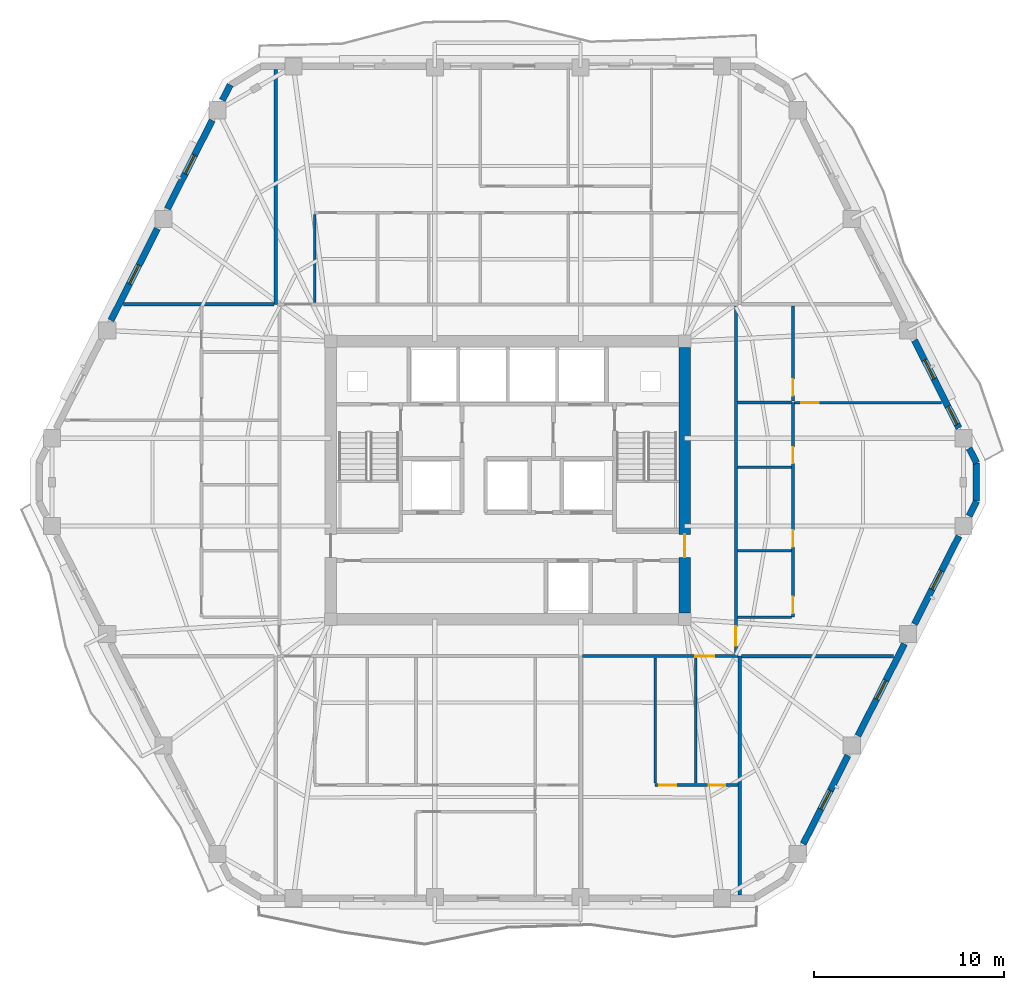
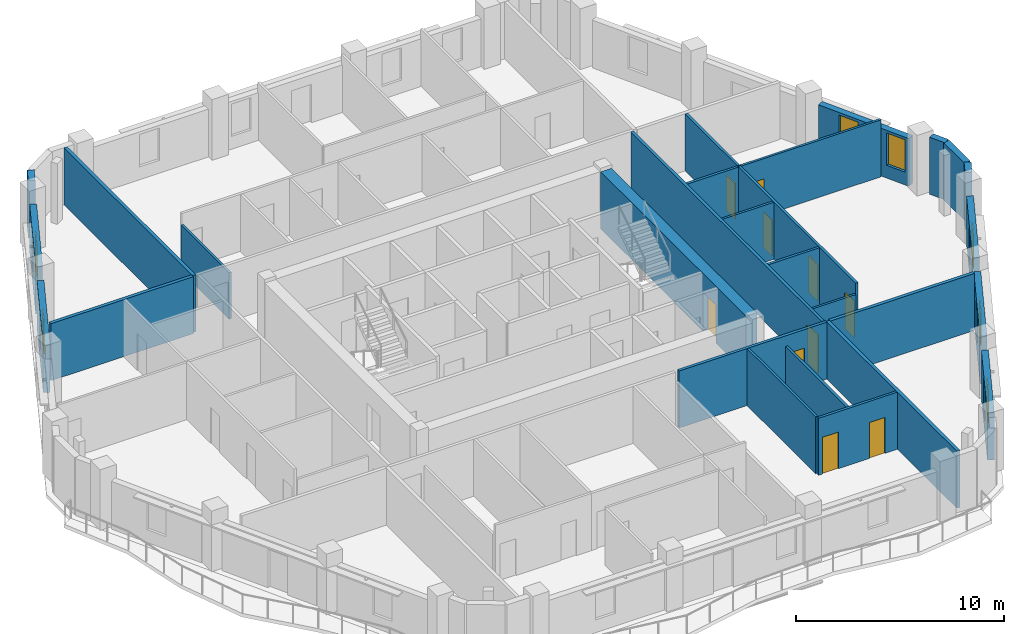
# One storey, part 6 of 12: 28 walls, 10 doors, 7 windows, 17 openings.
"""IFC4 building model written with IfcOpenShell, lengths in metres."""

from ifc_helpers import new_model, si_unit, direction, frame, frame_2d, origin, place, context, subcontext, project, spatial, rectangle, extrude, material, layer, layer_set, type_object, element, fill, save


model = new_model("IFC4")

# Units and contexts
model_context = context("Model", 3, precision=1e-05, world=origin(), true_north=direction((0.0, 1.0)))
body_context = subcontext(model_context, "Body", "Model", "MODEL_VIEW")
ifc_project = project(units=[si_unit("LENGTHUNIT", "METRE"), si_unit("AREAUNIT", "SQUARE_METRE"), si_unit("VOLUMEUNIT", "CUBIC_METRE"), si_unit("PLANEANGLEUNIT", "RADIAN"), si_unit("MASSUNIT", "GRAM", prefix="KILO")], contexts=[model_context])

# Site, building, storey
site_placement = place(None, origin())
site = spatial("IfcSite", under=ifc_project, at=site_placement, CompositionType="ELEMENT")
building_placement = place(site_placement, origin())
building = spatial("IfcBuilding", under=site, at=building_placement, Name="Cinnabar Lancet Tower", CompositionType="ELEMENT")
storey_placement = place(building_placement, frame((0.0, 0.0, 157.050048828125)))
storey = spatial("IfcBuildingStorey", under=building, at=storey_placement, Name="L41", CompositionType="ELEMENT", Elevation=157.050048828125)

# Wall, opening, door
ifc_material_1 = material(Name="Acoustic twin-stud gypsum partition", Category="gypsum")
ifc_layer_1 = layer(ifc_material_1, 0.159912109375)
ifc_layer_set_1 = layer_set([ifc_layer_1], Name="Acoustic twin-stud gypsum partition")
wall_type_1 = type_object("IfcWallType", Name="ARC-WL-CORR-160", PredefinedType="PARTITIONING", material=ifc_layer_set_1)
wall_1_placement = place(storey_placement, frame((36.326904296875, 16.64990234375, 0.0), z_axis=(0.0, 0.0, 1.0), x_axis=(1.0, 0.0, 0.0)))
wall_1 = element("IfcWall", 1, at=wall_1_placement, inside=storey, type_object=wall_type_1, Name="L41 Unit S02 Corridor Wall", PredefinedType="PARTITIONING", context=body_context, shape_type="SweptSolid", body=[
    extrude(rectangle(XDim=8.177978515625, YDim=0.159912109375, at=frame_2d((4.0888671875, 0.0))), origin(), (0.0, 0.0, 1.0), 3.33984375),
])
opening_1_placement = place(wall_1_placement, frame((5.923095703125, 0.0, 0.0)))
opening_1 = element("IfcOpeningElement", 2, at=opening_1_placement, cuts=wall_1, Name="Opening UD-01", PredefinedType="OPENING", context=body_context, shape_type="SweptSolid", body=[
    extrude(rectangle(XDim=1.02001953125, YDim=2.25, at=frame_2d((0.510009765625, 1.125))), frame((0.0, 0.08984375, 0.0), z_axis=(0.0, -1.0, 0.0), x_axis=(1.0, 0.0, 0.0)), (0.0, 0.0, 1.0), 0.179931640625),
])
ifc_material_2 = material(Name="Solid timber fire-rated apartment entrance door", Category="wood")
door_type_1 = type_object("IfcDoorType", Name="ARC-DR-UNIT", OperationType="NOTDEFINED", PredefinedType="DOOR", material=ifc_material_2)
door_1_placement = place(opening_1_placement, origin())
door_1 = element("IfcDoor", 3, at=door_1_placement, inside=storey, type_object=door_type_1, Name="DR-L41-S02-ENT", OperationType="SINGLE_SWING_RIGHT", OverallHeight=2.25, OverallWidth=1.02001953125, PredefinedType="DOOR", context=body_context, shape_type="SweptSolid", body=[
    extrude(rectangle(XDim=1.02001953125, YDim=2.25, at=frame_2d((0.510009765625, 1.125))), frame((0.0, 0.02490234375, 0.0), z_axis=(0.0, -1.0, 0.0), x_axis=(1.0, 0.0, 0.0)), (0.0, 0.0, 1.0), 0.050048828125),
])
fill(opening_1, door_1)

wall_2_placement = place(storey_placement, frame((44.39990234375, 16.7451171875, 0.0), z_axis=(0.0, 0.0, 1.0), x_axis=(0.0, 1.0, 0.0)))
wall_2 = element("IfcWall", 4, at=wall_2_placement, inside=storey, type_object=wall_type_1, Name="UW-L41-E01-COR", PredefinedType="PARTITIONING", context=body_context, shape_type="SweptSolid", body=[
    extrude(rectangle(XDim=18.309814453125, YDim=0.159912109375, at=frame_2d((9.15478515625, 0.0))), origin(), (0.0, 0.0, 1.0), 3.33984375),
])
opening_2_placement = place(wall_2_placement, frame((0.449951171875, 0.0, 0.0)))
opening_2 = element("IfcOpeningElement", 5, at=opening_2_placement, cuts=wall_2, Name="Opening UD-01", PredefinedType="OPENING", context=body_context, shape_type="SweptSolid", body=[
    extrude(rectangle(XDim=1.02001953125, YDim=2.25, at=frame_2d((0.510009765625, 1.125))), frame((0.0, 0.08984375, 0.0), z_axis=(0.0, -1.0, 0.0), x_axis=(1.0, 0.0, 0.0)), (0.0, 0.0, 1.0), 0.179931640625),
])
door_2_placement = place(opening_2_placement, origin())
door_2 = element("IfcDoor", 6, at=door_2_placement, inside=storey, type_object=door_type_1, Name="DR-L41-E01-ENT", OperationType="SINGLE_SWING_RIGHT", OverallHeight=2.25, OverallWidth=1.02001953125, PredefinedType="DOOR", context=body_context, shape_type="SweptSolid", body=[
    extrude(rectangle(XDim=1.02001953125, YDim=2.25, at=frame_2d((0.510009765625, 1.125))), frame((0.0, 0.02490234375, 0.0), z_axis=(0.0, -1.0, 0.0), x_axis=(1.0, 0.0, 0.0)), (0.0, 0.0, 1.0), 0.050048828125),
])
fill(opening_2, door_2)

# Walls
ifc_material_3 = material(Name="Fire-rated twin-frame acoustic drywall", Category="gypsum")
ifc_layer_2 = layer(ifc_material_3, 0.179931640625)
ifc_layer_set_2 = layer_set([ifc_layer_2], Name="Fire-rated twin-frame acoustic drywall")
wall_type_2 = type_object("IfcWallType", Name="ARC-WL-PARTY-180", PredefinedType="PARTITIONING", material=ifc_layer_set_2)
wall_3_placement = place(storey_placement, frame((44.60009765625, 4.10498046875, 0.0), z_axis=(0.0, 0.0, 1.0), x_axis=(0.0, 1.0, 0.0)))
element("IfcWall", 7, at=wall_3_placement, inside=storey, type_object=wall_type_2, Name="PW-L41-SPTY-446", PredefinedType="PARTITIONING", context=body_context, shape_type="SweptSolid", body=[
    extrude(rectangle(XDim=12.544921875, YDim=0.179931640625, at=frame_2d((6.2724609375, 0.0))), origin(), (0.0, 0.0, 1.0), 3.33984375),
])
wall_4_placement = place(storey_placement, frame((20.199951171875, 35.14990234375, 0.0), z_axis=(0.0, 0.0, 1.0), x_axis=(0.0, 1.0, 0.0)))
element("IfcWall", 8, at=wall_4_placement, inside=storey, type_object=wall_type_2, Name="PW-L41-NPTY-202", PredefinedType="PARTITIONING", context=body_context, shape_type="SweptSolid", body=[
    extrude(rectangle(XDim=12.34521484375, YDim=0.179931640625, at=frame_2d((6.172607421875, 0.0))), origin(), (0.0, 0.0, 1.0), 3.33984375),
])
wall_5_placement = place(storey_placement, frame((44.695068359375, 16.64990234375, 0.0), z_axis=(0.0, 0.0, 1.0), x_axis=(1.0, 0.0, 0.0)))
element("IfcWall", 9, at=wall_5_placement, inside=storey, type_object=wall_type_2, Name="PW-L41-ESB", PredefinedType="PARTITIONING", context=body_context, shape_type="SweptSolid", body=[
    extrude(rectangle(XDim=7.995849609375, YDim=0.179931640625, at=frame_2d((3.998046875, 0.0))), origin(), (0.0, 0.0, 1.0), 3.33984375),
])
wall_6_placement = place(storey_placement, frame((12.2099609375, 35.14990234375, 0.0), z_axis=(0.0, 0.0, 1.0), x_axis=(1.0, 0.0, 0.0)))
element("IfcWall", 10, at=wall_6_placement, inside=storey, type_object=wall_type_2, Name="PW-L41-WNB", PredefinedType="PARTITIONING", context=body_context, shape_type="SweptSolid", body=[
    extrude(rectangle(XDim=7.89501953125, YDim=0.179931640625, at=frame_2d((3.947509765625, 0.0))), origin(), (0.0, 0.0, 1.0), 3.33984375),
])
ifc_material_4 = material(Name="Gypsum plasterboard stud partition", Category="gypsum")
ifc_layer_3 = layer(ifc_material_4, 0.125)
ifc_layer_set_3 = layer_set([ifc_layer_3], Name="Gypsum plasterboard stud partition")
wall_type_3 = type_object("IfcWallType", Name="ARC-WL-UNIT-125", PredefinedType="PARTITIONING", material=ifc_layer_set_3)
wall_7_placement = place(storey_placement, frame((40.14990234375, 9.98095703125, 0.0), z_axis=(0.0, 0.0, 1.0), x_axis=(0.0, 1.0, 0.0)))
element("IfcWall", 11, at=wall_7_placement, inside=storey, type_object=wall_type_3, Name="UW-L41-S02-FOYE", PredefinedType="PARTITIONING", context=body_context, shape_type="SweptSolid", body=[
    extrude(rectangle(XDim=6.583984375, YDim=0.125, at=frame_2d((3.2919921875, 0.0))), origin(), (0.0, 0.0, 1.0), 3.33984375),
])
wall_8_placement = place(storey_placement, frame((22.25, 35.235107421875, 0.0), z_axis=(0.0, 0.0, 1.0), x_axis=(0.0, 1.0, 0.0)))
element("IfcWall", 12, at=wall_8_placement, inside=storey, type_object=wall_type_3, Name="UW-L41-N01-FOYE", PredefinedType="PARTITIONING", context=body_context, shape_type="SweptSolid", body=[
    extrude(rectangle(XDim=4.625, YDim=0.125, at=frame_2d((2.3125, 0.0))), origin(), (0.0, 0.0, 1.0), 2.721923828125),
])
wall_9_placement = place(storey_placement, frame((44.485107421875, 18.699951171875, 0.0), z_axis=(0.0, 0.0, 1.0), x_axis=(1.0, 0.0, 0.0)))
element("IfcWall", 13, at=wall_9_placement, inside=storey, type_object=wall_type_3, Name="UW-L41-E01-FOYN", PredefinedType="PARTITIONING", context=body_context, shape_type="SweptSolid", body=[
    extrude(rectangle(XDim=2.829833984375, YDim=0.125, at=frame_2d((1.4150390625, 0.0))), origin(), (0.0, 0.0, 1.0), 2.721923828125),
])

# Wall, opening, door
wall_10_placement = place(storey_placement, frame((47.47509765625, 29.985107421875, 0.0), z_axis=(0.0, 0.0, 1.0), x_axis=(1.0, 0.0, 0.0)))
wall_10 = element("IfcWall", 14, at=wall_10_placement, inside=storey, type_object=wall_type_3, Name="UW-L41-E01-MBN", PredefinedType="PARTITIONING", context=body_context, shape_type="SweptSolid", body=[
    extrude(rectangle(XDim=7.742919921875, YDim=0.125, at=frame_2d((3.87158203125, 0.0))), origin(), (0.0, 0.0, 1.0), 3.33984375),
])
opening_3_placement = place(wall_10_placement, frame((0.35009765625, 0.0, 0.0)))
opening_3 = element("IfcOpeningElement", 15, at=opening_3_placement, cuts=wall_10, Name="Opening RD-01", PredefinedType="OPENING", context=body_context, shape_type="SweptSolid", body=[
    extrude(rectangle(XDim=0.919921875, YDim=2.14990234375, at=frame_2d((0.4599609375, 1.074951171875))), frame((0.0, 0.072509765625, 0.0), z_axis=(0.0, -1.0, 0.0), x_axis=(1.0, 0.0, 0.0)), (0.0, 0.0, 1.0), 0.14501953125),
])
ifc_material_5 = material(Name="Engineered timber bedroom door", Category="wood")
door_type_2 = type_object("IfcDoorType", Name="ARC-DR-ROOM", OperationType="NOTDEFINED", PredefinedType="DOOR", material=ifc_material_5)
door_3_placement = place(opening_3_placement, origin())
door_3 = element("IfcDoor", 16, at=door_3_placement, inside=storey, type_object=door_type_2, Name="DR-L41-E01-MBD", OperationType="SINGLE_SWING_RIGHT", OverallHeight=2.14990234375, OverallWidth=0.919921875, PredefinedType="DOOR", context=body_context, shape_type="SweptSolid", body=[
    extrude(rectangle(XDim=0.919921875, YDim=2.14990234375, at=frame_2d((0.4599609375, 1.074951171875))), frame((0.0, 0.02490234375, 0.0), z_axis=(0.0, -1.0, 0.0), x_axis=(1.0, 0.0, 0.0)), (0.0, 0.0, 1.0), 0.050048828125),
])
fill(opening_3, door_3)

# Wall
wall_11_placement = place(storey_placement, frame((44.485107421875, 26.5849609375, 0.0), z_axis=(0.0, 0.0, 1.0), x_axis=(1.0, 0.0, 0.0)))
element("IfcWall", 17, at=wall_11_placement, inside=storey, type_object=wall_type_3, Name="UW-L41-E01-UDV", PredefinedType="PARTITIONING", context=body_context, shape_type="SweptSolid", body=[
    extrude(rectangle(XDim=2.829833984375, YDim=0.125, at=frame_2d((1.4150390625, 0.0))), origin(), (0.0, 0.0, 1.0), 3.33984375),
])

# Wall, openings, doors
ifc_material_6 = material(Name="Moisture-resistant cement-board plumbing wall", Category="masonry")
ifc_layer_4 = layer(ifc_material_6, 0.139892578125)
ifc_layer_set_4 = layer_set([ifc_layer_4], Name="Moisture-resistant cement-board plumbing wall")
wall_type_4 = type_object("IfcWallType", Name="ARC-WL-WET-140", PredefinedType="PLUMBINGWALL", material=ifc_layer_set_4)
wall_12_placement = place(storey_placement, frame((40.14990234375, 9.8759765625, 0.0), z_axis=(0.0, 0.0, 1.0), x_axis=(1.0, 0.0, 0.0)))
wall_12 = element("IfcWall", 18, at=wall_12_placement, inside=storey, type_object=wall_type_4, Name="UW-L41-S02-SPL", PredefinedType="PLUMBINGWALL", context=body_context, shape_type="SweptSolid", body=[
    extrude(rectangle(XDim=4.35498046875, YDim=0.139892578125, at=frame_2d((2.177490234375, 0.0))), origin(), (0.0, 0.0, 1.0), 3.33984375),
])
opening_4_placement = place(wall_12_placement, frame((2.821044921875, 0.0, 0.0)))
opening_4 = element("IfcOpeningElement", 19, at=opening_4_placement, cuts=wall_12, Name="Opening BD-01", PredefinedType="OPENING", context=body_context, shape_type="SweptSolid", body=[
    extrude(rectangle(XDim=0.860107421875, YDim=2.10009765625, at=frame_2d((0.43017578125, 1.050048828125))), frame((0.0, 0.079833984375, 0.0), z_axis=(0.0, -1.0, 0.0), x_axis=(1.0, 0.0, 0.0)), (0.0, 0.0, 1.0), 0.159912109375),
])
opening_5_placement = place(wall_12_placement, frame((0.219970703125, 0.0, 0.0)))
opening_5 = element("IfcOpeningElement", 20, at=opening_5_placement, cuts=wall_12, Name="Opening RD-02", PredefinedType="OPENING", context=body_context, shape_type="SweptSolid", body=[
    extrude(rectangle(XDim=0.8798828125, YDim=2.14990234375, at=frame_2d((0.43994140625, 1.074951171875))), frame((0.0, 0.079833984375, 0.0), z_axis=(0.0, -1.0, 0.0), x_axis=(1.0, 0.0, 0.0)), (0.0, 0.0, 1.0), 0.159912109375),
])
ifc_material_7 = material(Name="Moisture-resistant timber bathroom door", Category="wood")
door_type_3 = type_object("IfcDoorType", Name="ARC-DR-BATH", OperationType="NOTDEFINED", PredefinedType="DOOR", material=ifc_material_7)
door_4_placement = place(opening_4_placement, origin())
door_4 = element("IfcDoor", 21, at=door_4_placement, inside=storey, type_object=door_type_3, Name="DR-L41-S02-BTH", OperationType="SINGLE_SWING_RIGHT", OverallHeight=2.10009765625, OverallWidth=0.860107421875, PredefinedType="DOOR", context=body_context, shape_type="SweptSolid", body=[
    extrude(rectangle(XDim=0.860107421875, YDim=2.10009765625, at=frame_2d((0.43017578125, 1.050048828125))), frame((0.0, 0.02490234375, 0.0), z_axis=(0.0, -1.0, 0.0), x_axis=(1.0, 0.0, 0.0)), (0.0, 0.0, 1.0), 0.050048828125),
])
fill(opening_4, door_4)
ifc_material_8 = material(Name="Engineered timber study door", Category="wood")
door_type_4 = type_object("IfcDoorType", Name="ARC-DR-STUDY", OperationType="NOTDEFINED", PredefinedType="DOOR", material=ifc_material_8)
door_5_placement = place(opening_5_placement, origin())
door_5 = element("IfcDoor", 22, at=door_5_placement, inside=storey, type_object=door_type_4, Name="DR-L41-S02-KIT", OperationType="SINGLE_SWING_LEFT", OverallHeight=2.14990234375, OverallWidth=0.8798828125, PredefinedType="DOOR", context=body_context, shape_type="SweptSolid", body=[
    extrude(rectangle(XDim=0.8798828125, YDim=2.14990234375, at=frame_2d((0.43994140625, 1.074951171875))), frame((0.0, 0.02490234375, 0.0), z_axis=(0.0, -1.0, 0.0), x_axis=(1.0, 0.0, 0.0)), (0.0, 0.0, 1.0), 0.050048828125),
])
fill(opening_5, door_5)

# Wall
wall_13_placement = place(storey_placement, frame((42.285888671875, 9.98095703125, 0.0), z_axis=(0.0, 0.0, 1.0), x_axis=(0.0, 1.0, 0.0)))
element("IfcWall", 23, at=wall_13_placement, inside=storey, type_object=wall_type_4, Name="UW-L41-S02-KDV", PredefinedType="PLUMBINGWALL", context=body_context, shape_type="SweptSolid", body=[
    extrude(rectangle(XDim=6.583984375, YDim=0.139892578125, at=frame_2d((3.2919921875, 0.0))), origin(), (0.0, 0.0, 1.0), 2.721923828125),
])

# Wall, openings, doors
wall_14_placement = place(storey_placement, frame((47.39990234375, 18.699951171875, 0.0), z_axis=(0.0, 0.0, 1.0), x_axis=(0.0, 1.0, 0.0)))
wall_14 = element("IfcWall", 24, at=wall_14_placement, inside=storey, type_object=wall_type_4, Name="UW-L41-E01-SPL", PredefinedType="PLUMBINGWALL", context=body_context, shape_type="SweptSolid", body=[
    extrude(rectangle(XDim=11.28515625, YDim=0.139892578125, at=frame_2d((5.642578125, 0.0))), origin(), (0.0, 0.0, 1.0), 3.33984375),
])
opening_6_placement = place(wall_14_placement, frame((0.199951171875, 0.0, 0.0)))
opening_6 = element("IfcOpeningElement", 25, at=opening_6_placement, cuts=wall_14, Name="Opening RD-02", PredefinedType="OPENING", context=body_context, shape_type="SweptSolid", body=[
    extrude(rectangle(XDim=0.8798828125, YDim=2.14990234375, at=frame_2d((0.43994140625, 1.074951171875))), frame((0.0, 0.079833984375, 0.0), z_axis=(0.0, -1.0, 0.0), x_axis=(1.0, 0.0, 0.0)), (0.0, 0.0, 1.0), 0.159912109375),
])
opening_7_placement = place(wall_14_placement, frame((3.699951171875, 0.0, 0.0)))
opening_7 = element("IfcOpeningElement", 26, at=opening_7_placement, cuts=wall_14, Name="Opening RD-02", PredefinedType="OPENING", context=body_context, shape_type="SweptSolid", body=[
    extrude(rectangle(XDim=0.8798828125, YDim=2.14990234375, at=frame_2d((0.43994140625, 1.074951171875))), frame((0.0, 0.079833984375, 0.0), z_axis=(0.0, -1.0, 0.0), x_axis=(1.0, 0.0, 0.0)), (0.0, 0.0, 1.0), 0.159912109375),
])
opening_8_placement = place(wall_14_placement, frame((8.0849609375, 0.0, 0.0)))
opening_8 = element("IfcOpeningElement", 27, at=opening_8_placement, cuts=wall_14, Name="Opening BD-01", PredefinedType="OPENING", context=body_context, shape_type="SweptSolid", body=[
    extrude(rectangle(XDim=0.860107421875, YDim=2.10009765625, at=frame_2d((0.43017578125, 1.050048828125))), frame((0.0, 0.079833984375, 0.0), z_axis=(0.0, -1.0, 0.0), x_axis=(1.0, 0.0, 0.0)), (0.0, 0.0, 1.0), 0.159912109375),
])
door_6_placement = place(opening_8_placement, origin())
door_6 = element("IfcDoor", 28, at=door_6_placement, inside=storey, type_object=door_type_3, Name="DR-L41-E01-BTH", OperationType="SINGLE_SWING_LEFT", OverallHeight=2.10009765625, OverallWidth=0.860107421875, PredefinedType="DOOR", context=body_context, shape_type="SweptSolid", body=[
    extrude(rectangle(XDim=0.860107421875, YDim=2.10009765625, at=frame_2d((0.43017578125, 1.050048828125))), frame((0.0, 0.02490234375, 0.0), z_axis=(0.0, -1.0, 0.0), x_axis=(1.0, 0.0, 0.0)), (0.0, 0.0, 1.0), 0.050048828125),
])
fill(opening_8, door_6)
door_7_placement = place(opening_6_placement, origin())
door_7 = element("IfcDoor", 29, at=door_7_placement, inside=storey, type_object=door_type_4, Name="DR-L41-E01-KIT", OperationType="SINGLE_SWING_LEFT", OverallHeight=2.14990234375, OverallWidth=0.8798828125, PredefinedType="DOOR", context=body_context, shape_type="SweptSolid", body=[
    extrude(rectangle(XDim=0.8798828125, YDim=2.14990234375, at=frame_2d((0.43994140625, 1.074951171875))), frame((0.0, 0.02490234375, 0.0), z_axis=(0.0, -1.0, 0.0), x_axis=(1.0, 0.0, 0.0)), (0.0, 0.0, 1.0), 0.050048828125),
])
fill(opening_6, door_7)
door_8_placement = place(opening_7_placement, origin())
door_8 = element("IfcDoor", 30, at=door_8_placement, inside=storey, type_object=door_type_4, Name="DR-L41-E01-UTL", OperationType="SINGLE_SWING_RIGHT", OverallHeight=2.14990234375, OverallWidth=0.8798828125, PredefinedType="DOOR", context=body_context, shape_type="SweptSolid", body=[
    extrude(rectangle(XDim=0.8798828125, YDim=2.14990234375, at=frame_2d((0.43994140625, 1.074951171875))), frame((0.0, 0.02490234375, 0.0), z_axis=(0.0, -1.0, 0.0), x_axis=(1.0, 0.0, 0.0)), (0.0, 0.0, 1.0), 0.050048828125),
])
fill(opening_7, door_8)

# Wall, opening, door
wall_15_placement = place(storey_placement, frame((47.39990234375, 30.054931640625, 0.0), z_axis=(0.0, 0.0, 1.0), x_axis=(0.0, 1.0, 0.0)))
wall_15 = element("IfcWall", 31, at=wall_15_placement, inside=storey, type_object=wall_type_4, Name="UW-L41-E01-SPM", PredefinedType="PLUMBINGWALL", context=body_context, shape_type="SweptSolid", body=[
    extrude(rectangle(XDim=5.0, YDim=0.139892578125, at=frame_2d((2.5, 0.0))), origin(), (0.0, 0.0, 1.0), 3.33984375),
])
opening_9_placement = place(wall_15_placement, frame((0.300048828125, 0.0, 0.0)))
opening_9 = element("IfcOpeningElement", 32, at=opening_9_placement, cuts=wall_15, Name="Opening BD-01", PredefinedType="OPENING", context=body_context, shape_type="SweptSolid", body=[
    extrude(rectangle(XDim=0.860107421875, YDim=2.10009765625, at=frame_2d((0.43017578125, 1.050048828125))), frame((0.0, 0.079833984375, 0.0), z_axis=(0.0, -1.0, 0.0), x_axis=(1.0, 0.0, 0.0)), (0.0, 0.0, 1.0), 0.159912109375),
])
door_9_placement = place(opening_9_placement, origin())
door_9 = element("IfcDoor", 33, at=door_9_placement, inside=storey, type_object=door_type_3, Name="DR-L41-E01-ENS", OperationType="SINGLE_SWING_RIGHT", OverallHeight=2.10009765625, OverallWidth=0.860107421875, PredefinedType="DOOR", context=body_context, shape_type="SweptSolid", body=[
    extrude(rectangle(XDim=0.860107421875, YDim=2.10009765625, at=frame_2d((0.43017578125, 1.050048828125))), frame((0.0, 0.02490234375, 0.0), z_axis=(0.0, -1.0, 0.0), x_axis=(1.0, 0.0, 0.0)), (0.0, 0.0, 1.0), 0.050048828125),
])
fill(opening_9, door_9)

# Walls
for number, where, z_axis, x_axis, name in (
    (34, (44.485107421875, 29.985107421875, 0.0), (0.0, 0.0, 1.0), (1.0, 0.0, 0.0), "UW-L41-E01-ENSN"),
    (35, (44.485107421875, 22.199951171875, 0.0), (0.0, 0.0, 1.0), (1.0, 0.0, 0.0), "UW-L41-E01-KDV"),
):
    element("IfcWall", number, at=place(storey_placement, frame(where, z_axis=z_axis, x_axis=x_axis)), inside=storey, type_object=wall_type_4, Name=name, PredefinedType="PLUMBINGWALL", context=body_context, shape_type="SweptSolid", body=[
        extrude(rectangle(XDim=2.829833984375, YDim=0.139892578125, at=frame_2d((1.4150390625, 0.0))), origin(), (0.0, 0.0, 1.0), 3.33984375),
    ])
ifc_material_9 = material(Name="Cinnabar red clay brick", Category="masonry")
ifc_layer_5 = layer(ifc_material_9, 0.340087890625)
ifc_layer_set_5 = layer_set([ifc_layer_5], Name="Cinnabar red clay brick")
wall_type_5 = type_object("IfcWallType", Name="ENV-WL-BRK-RED-340", PredefinedType="STANDARD", material=ifc_layer_set_5)
wall_16_placement = place(storey_placement, frame((57.032958984375, 24.802978515625, 0.0), z_axis=(0.0, 0.0, 1.0), x_axis=(0.0, 1.0, 0.0)))
element("IfcWall", 36, at=wall_16_placement, inside=storey, type_object=wall_type_5, Name="L41 Chamfered Corner Brick Pier 3.1", PredefinedType="STANDARD", context=body_context, shape_type="SweptSolid", body=[
    extrude(rectangle(XDim=1.994140625, YDim=0.340087890625, at=frame_2d((0.9970703125, 0.0))), origin(), (0.0, 0.0, 1.0), 3.33984375),
])

# Wall, opening, window
wall_17_placement = place(storey_placement, frame((47.93701171875, 6.777099609375, 0.0), z_axis=(0.0, 0.0, 1.0), x_axis=(0.451595734115, 0.892222670038, 0.0)))
wall_17 = element("IfcWall", 37, at=wall_17_placement, inside=storey, type_object=wall_type_5, Name="L41 Face 2 Masonry Bay Wall 2", PredefinedType="STANDARD", context=body_context, shape_type="SweptSolid", body=[
    extrude(rectangle(XDim=5.208251953125, YDim=0.340087890625, at=frame_2d((2.60400390625, 0.0))), origin(), (0.0, 0.0, 1.0), 2.796875),
])
opening_10_placement = place(wall_17_placement, frame((2.053955078125, 0.0, 0.75)))
opening_10 = element("IfcOpeningElement", 38, at=opening_10_placement, cuts=wall_17, Name="Opening WN-04", PredefinedType="OPENING", context=body_context, shape_type="SweptSolid", body=[
    extrude(rectangle(XDim=1.10009765625, YDim=1.89697265625, at=frame_2d((0.550048828125, 0.948486328125))), frame((0.0, 0.179931640625, 0.0), z_axis=(0.0, -1.0, 0.0), x_axis=(1.0, 0.0, 0.0)), (0.0, 0.0, 1.0), 0.360107421875),
])
ifc_material_10 = material(Name="Thermally broken bronze-anodized aluminium tall lancet window", Category="aluminium")
window_type = type_object("IfcWindowType", Name="ENV-WN-LANCET-1100", PartitioningType="SINGLE_PANEL", PredefinedType="WINDOW", material=ifc_material_10)
window_1_placement = place(opening_10_placement, origin())
window_1 = element("IfcWindow", 39, at=window_1_placement, inside=storey, type_object=window_type, Name="L41 Face 2 Gothic Lancet Window 2", OverallHeight=1.89697265625, OverallWidth=1.10009765625, PartitioningType="SINGLE_PANEL", PredefinedType="WINDOW", context=body_context, shape_type="SweptSolid", body=[
    extrude(rectangle(XDim=1.10009765625, YDim=1.89697265625, at=frame_2d((0.550048828125, 0.948486328125))), frame((0.0, 0.030029296875, 0.0), z_axis=(0.0, -1.0, 0.0), x_axis=(1.0, 0.0, 0.0)), (0.0, 0.0, 1.0), 0.06005859375),
])
fill(opening_10, window_1)

wall_18_placement = place(storey_placement, frame((50.818115234375, 12.470947265625, 0.0), z_axis=(0.0, 0.0, 1.0), x_axis=(0.451491174807, 0.892275584711, 0.0)))
wall_18 = element("IfcWall", 40, at=wall_18_placement, inside=storey, type_object=wall_type_5, Name="L41 Face 2 Masonry Bay Wall 3", PredefinedType="STANDARD", context=body_context, shape_type="SweptSolid", body=[
    extrude(rectangle(XDim=5.404296875, YDim=0.340087890625, at=frame_2d((2.7021484375, 0.0))), origin(), (0.0, 0.0, 1.0), 2.796875),
])
opening_11_placement = place(wall_18_placement, frame((2.152099609375, 0.0, 0.75)))
opening_11 = element("IfcOpeningElement", 41, at=opening_11_placement, cuts=wall_18, Name="Opening WN-04", PredefinedType="OPENING", context=body_context, shape_type="SweptSolid", body=[
    extrude(rectangle(XDim=1.10009765625, YDim=1.89697265625, at=frame_2d((0.550048828125, 0.948486328125))), frame((0.0, 0.179931640625, 0.0), z_axis=(0.0, -1.0, 0.0), x_axis=(1.0, 0.0, 0.0)), (0.0, 0.0, 1.0), 0.360107421875),
])
window_2_placement = place(opening_11_placement, origin())
window_2 = element("IfcWindow", 42, at=window_2_placement, inside=storey, type_object=window_type, Name="L41 Face 2 Gothic Lancet Window 3", OverallHeight=1.89697265625, OverallWidth=1.10009765625, PartitioningType="SINGLE_PANEL", PredefinedType="WINDOW", context=body_context, shape_type="SweptSolid", body=[
    extrude(rectangle(XDim=1.10009765625, YDim=1.89697265625, at=frame_2d((0.550048828125, 0.948486328125))), frame((0.0, 0.030029296875, 0.0), z_axis=(0.0, -1.0, 0.0), x_axis=(1.0, 0.0, 0.0)), (0.0, 0.0, 1.0), 0.06005859375),
])
fill(opening_11, window_2)

wall_19_placement = place(storey_placement, frame((53.785888671875, 18.337890625, 0.0), z_axis=(0.0, 0.0, 1.0), x_axis=(0.451544220963, 0.892248741392, 0.0)))
wall_19 = element("IfcWall", 43, at=wall_19_placement, inside=storey, type_object=wall_type_5, Name="L41 Face 2 Masonry Bay Wall 4", PredefinedType="STANDARD", context=body_context, shape_type="SweptSolid", body=[
    extrude(rectangle(XDim=5.18017578125, YDim=0.340087890625, at=frame_2d((2.590087890625, 0.0))), origin(), (0.0, 0.0, 1.0), 2.796875),
])
opening_12_placement = place(wall_19_placement, frame((2.0400390625, 0.0, 0.75)))
opening_12 = element("IfcOpeningElement", 44, at=opening_12_placement, cuts=wall_19, Name="Opening WN-04", PredefinedType="OPENING", context=body_context, shape_type="SweptSolid", body=[
    extrude(rectangle(XDim=1.10009765625, YDim=1.89697265625, at=frame_2d((0.550048828125, 0.948486328125))), frame((0.0, 0.179931640625, 0.0), z_axis=(0.0, -1.0, 0.0), x_axis=(1.0, 0.0, 0.0)), (0.0, 0.0, 1.0), 0.360107421875),
])
window_3_placement = place(opening_12_placement, origin())
window_3 = element("IfcWindow", 45, at=window_3_placement, inside=storey, type_object=window_type, Name="L41 Face 2 Gothic Lancet Window 4", OverallHeight=1.89697265625, OverallWidth=1.10009765625, PartitioningType="SINGLE_PANEL", PredefinedType="WINDOW", context=body_context, shape_type="SweptSolid", body=[
    extrude(rectangle(XDim=1.10009765625, YDim=1.89697265625, at=frame_2d((0.550048828125, 0.948486328125))), frame((0.0, 0.030029296875, 0.0), z_axis=(0.0, -1.0, 0.0), x_axis=(1.0, 0.0, 0.0)), (0.0, 0.0, 1.0), 0.06005859375),
])
fill(opening_12, window_3)

# Walls
for number, where, z_axis, x_axis, name in (
    (46, (56.660888671875, 24.02001953125, 0.0), (0.0, 0.0, 1.0), (0.451923099039, 0.892056899842, 0.0), "L41 Face 2 Masonry Bay Wall 5"),
    (47, (57.053955078125, 26.803955078125, 0.0), (0.0, 0.0, 1.0), (-0.451809962998, 0.892114206442, 0.0), "L41 Face 3 Masonry Bay Wall 1"),
):
    element("IfcWall", number, at=place(storey_placement, frame(where, z_axis=z_axis, x_axis=x_axis)), inside=storey, type_object=wall_type_5, Name=name, PredefinedType="STANDARD", context=body_context, shape_type="SweptSolid", body=[
        extrude(rectangle(XDim=0.869873046875, YDim=0.340087890625, at=frame_2d((0.43505859375, 0.0))), origin(), (0.0, 0.0, 1.0), 3.33984375),
    ])

# Wall, openings, windows
wall_20_placement = place(storey_placement, frame((56.125, 28.639892578125, 0.0), z_axis=(0.0, 0.0, 1.0), x_axis=(-0.451544220963, 0.892248741392, 0.0)))
wall_20 = element("IfcWall", 48, at=wall_20_placement, inside=storey, type_object=wall_type_5, Name="L41 Face 3 Masonry Bay Wall 2", PredefinedType="STANDARD", context=body_context, shape_type="SweptSolid", body=[
    extrude(rectangle(XDim=5.18017578125, YDim=0.340087890625, at=frame_2d((2.590087890625, 0.0))), origin(), (0.0, 0.0, 1.0), 2.796875),
])
opening_13_placement = place(wall_20_placement, frame((0.219970703125, 0.0, 0.75)))
opening_13 = element("IfcOpeningElement", 49, at=opening_13_placement, cuts=wall_20, Name="Opening WN-04", PredefinedType="OPENING", context=body_context, shape_type="SweptSolid", body=[
    extrude(rectangle(XDim=1.050048828125, YDim=1.89697265625, at=frame_2d((0.52490234375, 0.948486328125))), frame((0.0, 0.179931640625, 0.0), z_axis=(0.0, -1.0, 0.0), x_axis=(1.0, 0.0, 0.0)), (0.0, 0.0, 1.0), 0.360107421875),
])
opening_14_placement = place(wall_20_placement, frame((2.905029296875, 0.0, 0.75)))
opening_14 = element("IfcOpeningElement", 50, at=opening_14_placement, cuts=wall_20, Name="Opening WN-04", PredefinedType="OPENING", context=body_context, shape_type="SweptSolid", body=[
    extrude(rectangle(XDim=1.10009765625, YDim=1.89697265625, at=frame_2d((0.550048828125, 0.948486328125))), frame((0.0, 0.179931640625, 0.0), z_axis=(0.0, -1.0, 0.0), x_axis=(1.0, 0.0, 0.0)), (0.0, 0.0, 1.0), 0.360107421875),
])
window_4_placement = place(opening_13_placement, origin())
window_4 = element("IfcWindow", 51, at=window_4_placement, inside=storey, type_object=window_type, Name="L41 Face 3 Gothic Lancet Window 2", OverallHeight=1.89697265625, OverallWidth=1.050048828125, PartitioningType="SINGLE_PANEL", PredefinedType="WINDOW", context=body_context, shape_type="SweptSolid", body=[
    extrude(rectangle(XDim=1.050048828125, YDim=1.89697265625, at=frame_2d((0.52490234375, 0.948486328125))), frame((0.0, 0.030029296875, 0.0), z_axis=(0.0, -1.0, 0.0), x_axis=(1.0, 0.0, 0.0)), (0.0, 0.0, 1.0), 0.06005859375),
])
fill(opening_13, window_4)
window_5_placement = place(opening_14_placement, origin())
window_5 = element("IfcWindow", 52, at=window_5_placement, inside=storey, type_object=window_type, Name="L41 Split-Bay Gothic Lancet Window 117", OverallHeight=1.89697265625, OverallWidth=1.10009765625, PartitioningType="SINGLE_PANEL", PredefinedType="WINDOW", context=body_context, shape_type="SweptSolid", body=[
    extrude(rectangle(XDim=1.10009765625, YDim=1.89697265625, at=frame_2d((0.550048828125, 0.948486328125))), frame((0.0, 0.030029296875, 0.0), z_axis=(0.0, -1.0, 0.0), x_axis=(1.0, 0.0, 0.0)), (0.0, 0.0, 1.0), 0.06005859375),
])
fill(opening_14, window_5)

# Wall
wall_21_placement = place(storey_placement, frame((17.80908203125, 46.693115234375, 0.0), z_axis=(0.0, 0.0, 1.0), x_axis=(-0.45173600575, -0.892151658133, 0.0)))
element("IfcWall", 53, at=wall_21_placement, inside=storey, type_object=wall_type_5, Name="L41 Face 5 Masonry Bay Wall 1", PredefinedType="STANDARD", context=body_context, shape_type="SweptSolid", body=[
    extrude(rectangle(XDim=0.90576171875, YDim=0.340087890625, at=frame_2d((0.452880859375, 0.0))), origin(), (0.0, 0.0, 1.0), 3.33984375),
])

# Wall, opening, window
wall_22_placement = place(storey_placement, frame((16.863037109375, 44.822998046875, 0.0), z_axis=(0.0, 0.0, 1.0), x_axis=(-0.451595734115, -0.892222670038, 0.0)))
wall_22 = element("IfcWall", 54, at=wall_22_placement, inside=storey, type_object=wall_type_5, Name="L41 Face 5 Masonry Bay Wall 2", PredefinedType="STANDARD", context=body_context, shape_type="SweptSolid", body=[
    extrude(rectangle(XDim=5.208251953125, YDim=0.340087890625, at=frame_2d((2.60400390625, 0.0))), origin(), (0.0, 0.0, 1.0), 2.796875),
])
opening_15_placement = place(wall_22_placement, frame((2.053955078125, 0.0, 0.75)))
opening_15 = element("IfcOpeningElement", 55, at=opening_15_placement, cuts=wall_22, Name="Opening WN-04", PredefinedType="OPENING", context=body_context, shape_type="SweptSolid", body=[
    extrude(rectangle(XDim=1.10009765625, YDim=1.89697265625, at=frame_2d((0.550048828125, 0.948486328125))), frame((0.0, 0.179931640625, 0.0), z_axis=(0.0, -1.0, 0.0), x_axis=(1.0, 0.0, 0.0)), (0.0, 0.0, 1.0), 0.360107421875),
])
window_6_placement = place(opening_15_placement, origin())
window_6 = element("IfcWindow", 56, at=window_6_placement, inside=storey, type_object=window_type, Name="L41 Face 5 Gothic Lancet Window 2", OverallHeight=1.89697265625, OverallWidth=1.10009765625, PartitioningType="SINGLE_PANEL", PredefinedType="WINDOW", context=body_context, shape_type="SweptSolid", body=[
    extrude(rectangle(XDim=1.10009765625, YDim=1.89697265625, at=frame_2d((0.550048828125, 0.948486328125))), frame((0.0, 0.030029296875, 0.0), z_axis=(0.0, -1.0, 0.0), x_axis=(1.0, 0.0, 0.0)), (0.0, 0.0, 1.0), 0.06005859375),
])
fill(opening_15, window_6)

wall_23_placement = place(storey_placement, frame((13.98193359375, 39.12890625, 0.0), z_axis=(0.0, 0.0, 1.0), x_axis=(-0.451491174807, -0.892275584711, 0.0)))
wall_23 = element("IfcWall", 57, at=wall_23_placement, inside=storey, type_object=wall_type_5, Name="L41 Face 5 Masonry Bay Wall 3", PredefinedType="STANDARD", context=body_context, shape_type="SweptSolid", body=[
    extrude(rectangle(XDim=5.404296875, YDim=0.340087890625, at=frame_2d((2.7021484375, 0.0))), origin(), (0.0, 0.0, 1.0), 2.796875),
])
opening_16_placement = place(wall_23_placement, frame((2.152099609375, 0.0, 0.75)))
opening_16 = element("IfcOpeningElement", 58, at=opening_16_placement, cuts=wall_23, Name="Opening WN-04", PredefinedType="OPENING", context=body_context, shape_type="SweptSolid", body=[
    extrude(rectangle(XDim=1.10009765625, YDim=1.89697265625, at=frame_2d((0.550048828125, 0.948486328125))), frame((0.0, 0.179931640625, 0.0), z_axis=(0.0, -1.0, 0.0), x_axis=(1.0, 0.0, 0.0)), (0.0, 0.0, 1.0), 0.360107421875),
])
window_7_placement = place(opening_16_placement, origin())
window_7 = element("IfcWindow", 59, at=window_7_placement, inside=storey, type_object=window_type, Name="L41 Face 5 Gothic Lancet Window 3", OverallHeight=1.89697265625, OverallWidth=1.10009765625, PartitioningType="SINGLE_PANEL", PredefinedType="WINDOW", context=body_context, shape_type="SweptSolid", body=[
    extrude(rectangle(XDim=1.10009765625, YDim=1.89697265625, at=frame_2d((0.550048828125, 0.948486328125))), frame((0.0, 0.030029296875, 0.0), z_axis=(0.0, -1.0, 0.0), x_axis=(1.0, 0.0, 0.0)), (0.0, 0.0, 1.0), 0.06005859375),
])
fill(opening_16, window_7)

# Wall, opening, door
ifc_material_11 = material(Name="Concrete C60/75", Category="concrete")
ifc_layer_6 = layer(ifc_material_11, 0.60009765625)
ifc_layer_set_6 = layer_set([ifc_layer_6], Name="Concrete C60/75")
wall_type_6 = type_object("IfcWallType", Name="STR-WL-CORE-600", PredefinedType="SHEAR", material=ifc_layer_set_6)
wall_24_placement = place(storey_placement, frame((41.699951171875, 18.925048828125, 0.0), z_axis=(0.0, 0.0, 1.0), x_axis=(0.0, 1.0, 0.0)))
wall_24 = element("IfcWall", 60, at=wall_24_placement, inside=storey, type_object=wall_type_6, Name="L41 Core Shear Wall E", PredefinedType="SHEAR", context=body_context, shape_type="SweptSolid", body=[
    extrude(rectangle(XDim=13.949951171875, YDim=0.60009765625, at=frame_2d((6.97509765625, 0.0))), origin(), (0.0, 0.0, 1.0), 3.33984375),
])
opening_17_placement = place(wall_24_placement, frame((2.9150390625, 0.0, 0.0)))
opening_17 = element("IfcOpeningElement", 61, at=opening_17_placement, cuts=wall_24, Name="Opening FD-02", PredefinedType="OPENING", context=body_context, shape_type="SweptSolid", body=[
    extrude(rectangle(XDim=1.219970703125, YDim=2.25, at=frame_2d((0.60986328125, 1.125))), frame((0.0, 0.31005859375, 0.0), z_axis=(0.0, -1.0, 0.0), x_axis=(1.0, 0.0, 0.0)), (0.0, 0.0, 1.0), 0.6201171875),
])
ifc_material_12 = material(Name="Fire-rated double-vision core portal door", Category="wood")
door_type_5 = type_object("IfcDoorType", Name="ARC-DR-CPORT", OperationType="NOTDEFINED", PredefinedType="DOOR", material=ifc_material_12)
door_10_placement = place(opening_17_placement, origin())
door_10 = element("IfcDoor", 62, at=door_10_placement, inside=storey, type_object=door_type_5, Name="L41 East Core Lobby Fire Door", OperationType="SINGLE_SWING_LEFT", OverallHeight=2.25, OverallWidth=1.219970703125, PredefinedType="DOOR", context=body_context, shape_type="SweptSolid", body=[
    extrude(rectangle(XDim=1.219970703125, YDim=2.25, at=frame_2d((0.60986328125, 1.125))), frame((0.0, 0.02490234375, 0.0), z_axis=(0.0, -1.0, 0.0), x_axis=(1.0, 0.0, 0.0)), (0.0, 0.0, 1.0), 0.050048828125),
])
fill(opening_17, door_10)

save(model, "model.ifc")
